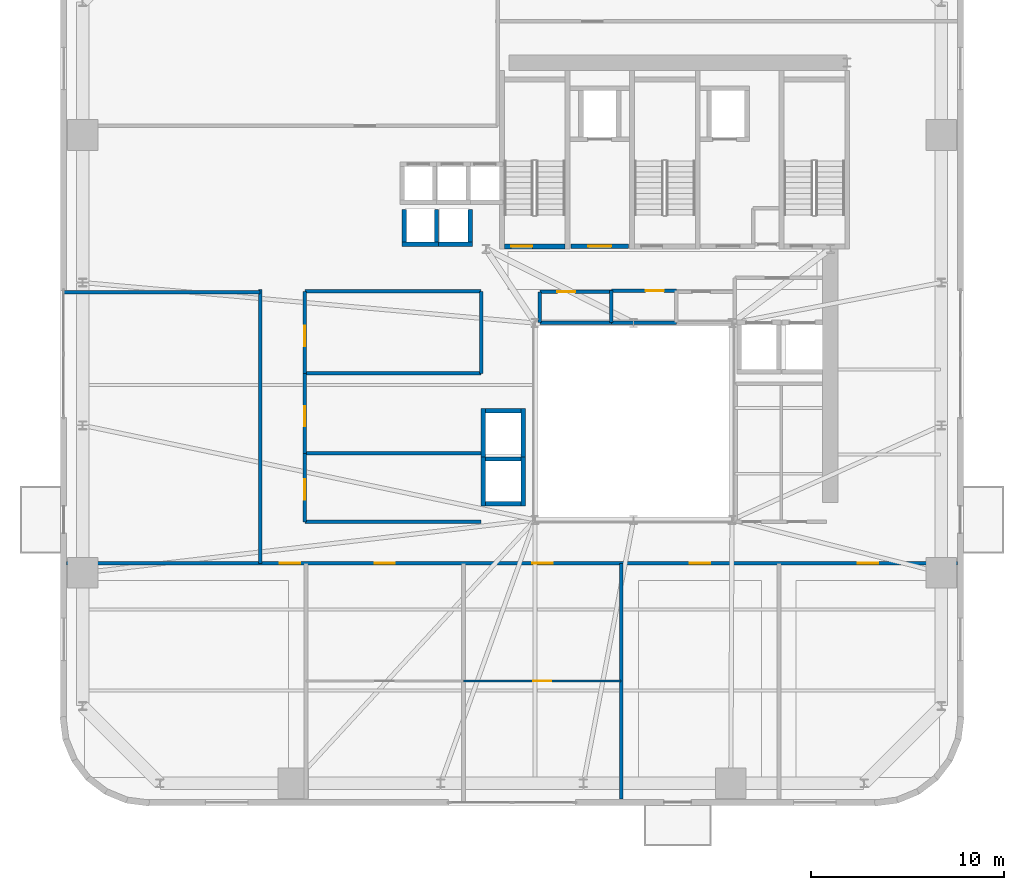
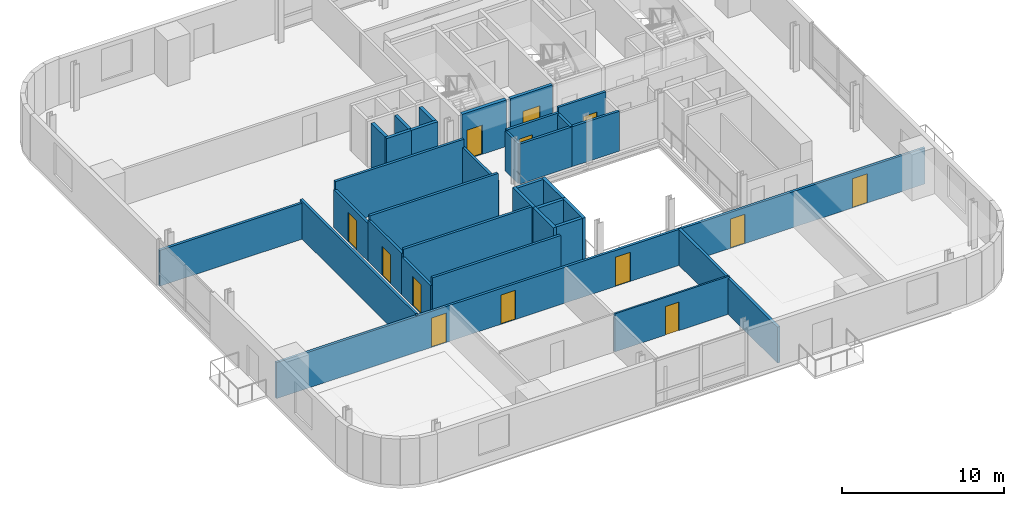
# One storey, part 6 of 13: 33 walls, 13 doors, 13 openings.
"""IFC4 building model written with IfcOpenShell, lengths in metres."""

import ifcopenshell
import ifcopenshell.guid

model = None  # the IFC model being written
_history = None  # IfcOwnerHistory: only IFC2X3 demands one
_inside = {}  # id of a spatial element -> (the spatial element, [elements in it])
_under = {}  # id of a project, library or spatial element -> (it, [spatial elements below it])
_declared = {}  # id of a project -> (the project, [libraries it declares])
_typed = {}  # id of a type object -> (the type object, [elements of that type])
_made_of = {}  # id of a material, layer set ... -> (it, [elements and type objects made of it])


def new_model(schema):
    """Start an empty IFC model of exactly this schema.

    Asked for "IFC4X3", IfcOpenShell would pick the latest addendum, in which some entities
    have other attributes; the version numbers below select the first issue.
    IFC2X3 requires an IfcOwnerHistory on every rooted entity: one is made here for all.
    """
    global model, _history
    if schema == "IFC4X3":
        model = ifcopenshell.file(schema_version=(4, 3, 0, 0))
    else:
        model = ifcopenshell.file(schema=schema)
    _inside.clear()
    _under.clear()
    _declared.clear()
    _typed.clear()
    _made_of.clear()
    _history = None
    if model.schema == "IFC2X3":
        org = make("IfcOrganization", Name="unknown")
        user = make(
            "IfcPersonAndOrganization",
            ThePerson=make("IfcPerson", FamilyName="unknown"),
            TheOrganization=org,
        )
        app = make(
            "IfcApplication",
            ApplicationDeveloper=org,
            Version="unknown",
            ApplicationFullName="unknown",
            ApplicationIdentifier="unknown",
        )
        _history = make(
            "IfcOwnerHistory",
            OwningUser=user,
            OwningApplication=app,
            ChangeAction="ADDED",
            CreationDate=0,
        )
    return model


def make(cls, **values):
    """One entity of the class cls with the attributes given. An attribute that is None is left unset."""
    return model.create_entity(
        cls, **{name: value for name, value in values.items() if value is not None}
    )


def rooted(cls, **values):
    """An entity with a GlobalId (a new one), such as an element, a storey or a relation."""
    return make(cls, GlobalId=ifcopenshell.guid.new(), OwnerHistory=_history, **values)


def si_unit(unit_type, name, prefix=None):
    """IfcSIUnit, for example si_unit("LENGTHUNIT", "METRE", prefix="MILLI")."""
    return make("IfcSIUnit", UnitType=unit_type, Prefix=prefix, Name=name)


def assignment(units):
    """IfcUnitAssignment: the units of a project."""
    return None if units is None else make("IfcUnitAssignment", Units=units)


def point(xyz):
    """IfcCartesianPoint."""
    return None if xyz is None else make("IfcCartesianPoint", Coordinates=xyz)


def direction(xyz):
    """IfcDirection."""
    return None if xyz is None else make("IfcDirection", DirectionRatios=xyz)


def frame(location, z_axis=None, x_axis=None):
    """IfcAxis2Placement3D, a coordinate frame: its origin and axes. An axis left out is left unset."""
    return make(
        "IfcAxis2Placement3D",
        Location=point(location),
        Axis=direction(z_axis),
        RefDirection=direction(x_axis),
    )


def frame_2d(location, x_axis=None):
    """IfcAxis2Placement2D, a coordinate frame in the plane: its origin and x axis."""
    return make(
        "IfcAxis2Placement2D", Location=point(location), RefDirection=direction(x_axis)
    )


def origin():
    """The frame at (0, 0, 0) with its axes left unset."""
    return frame((0.0, 0.0, 0.0))


def place(relative_to, where):
    """IfcLocalPlacement: puts the frame where relative to a parent placement (None: the world)."""
    return make(
        "IfcLocalPlacement", PlacementRelTo=relative_to, RelativePlacement=where
    )


def context(
    kind, dimensions, precision=None, world=None, true_north=None, identifier=None
):
    """IfcGeometricRepresentationContext, for example the 3D "Model" context."""
    return make(
        "IfcGeometricRepresentationContext",
        ContextIdentifier=identifier,
        ContextType=kind,
        CoordinateSpaceDimension=dimensions,
        Precision=precision,
        WorldCoordinateSystem=world,
        TrueNorth=true_north,
    )


def subcontext(parent, identifier, kind, view, scale=None):
    """IfcGeometricRepresentationSubContext, for example "Body" below "Model"."""
    return make(
        "IfcGeometricRepresentationSubContext",
        ContextIdentifier=identifier,
        ContextType=kind,
        ParentContext=parent,
        TargetScale=scale,
        TargetView=view,
    )


def project(units=None, contexts=None):
    """IfcProject with its units and contexts."""
    return rooted(
        "IfcProject",
        Name="project",
        RepresentationContexts=contexts,
        UnitsInContext=assignment(units),
    )


def spatial(cls, under=None, at=None, **own):
    """A site, building, storey or space (cls), placed at a placement, below another one or the project."""
    s = rooted(cls, ObjectPlacement=at, **own)
    if under is not None:
        _under.setdefault(under.id(), (under, []))[1].append(s)
    return s


def profile(cls, at=None, kind="AREA", **sizes):
    """A parametric profile (cls). Its sizes go by their IFC names, for example OverallWidth=200.0."""
    return make(cls, ProfileType=kind, Position=at, **sizes)


def rectangle(**sizes):
    """IfcRectangleProfileDef."""
    return profile("IfcRectangleProfileDef", **sizes)


def extrude(swept, where, along, depth):
    """IfcExtrudedAreaSolid: the profile swept, set in the frame where, extruded along a direction by depth."""
    return make(
        "IfcExtrudedAreaSolid",
        SweptArea=swept,
        Position=where,
        ExtrudedDirection=direction(along),
        Depth=depth,
    )


def shape(context_of_items, identifier, shape_type, items):
    """IfcShapeRepresentation: the items that make up one representation, for example the "Body"."""
    return make(
        "IfcShapeRepresentation",
        ContextOfItems=context_of_items,
        RepresentationIdentifier=identifier,
        RepresentationType=shape_type,
        Items=items,
    )


def source(mapping_origin, context_of_items, identifier, shape_type, items):
    """IfcRepresentationMap: a shape defined once, which mapped items show again and again."""
    return make(
        "IfcRepresentationMap",
        MappingOrigin=mapping_origin,
        MappedRepresentation=shape(context_of_items, identifier, shape_type, items),
    )


def transform(
    local_origin,
    x_axis=None,
    y_axis=None,
    z_axis=None,
    scale=None,
    scale2=None,
    scale3=None,
    uniform=True,
):
    """IfcCartesianTransformationOperator3D, or its non-uniform kind. x_axis, y_axis, z_axis: its Axis1, 2, 3."""
    if uniform:
        return make(
            "IfcCartesianTransformationOperator3D",
            Axis1=direction(x_axis),
            Axis2=direction(y_axis),
            LocalOrigin=point(local_origin),
            Scale=scale,
            Axis3=direction(z_axis),
        )
    return make(
        "IfcCartesianTransformationOperator3DnonUniform",
        Axis1=direction(x_axis),
        Axis2=direction(y_axis),
        LocalOrigin=point(local_origin),
        Scale=scale,
        Axis3=direction(z_axis),
        Scale2=scale2,
        Scale3=scale3,
    )


def mapped(mapping_source, mapping_target):
    """IfcMappedItem: shows the shape of a source again, moved by a transform."""
    return make(
        "IfcMappedItem", MappingSource=mapping_source, MappingTarget=mapping_target
    )


def material(Name=None, Category=None):
    """IfcMaterial."""
    return make("IfcMaterial", Name=Name, Category=Category)


def layer(
    of_material, thickness, ventilated=None, Name=None, Category=None, Priority=None
):
    """IfcMaterialLayer: one layer of a wall or slab, of a material (None: an air gap)."""
    return make(
        "IfcMaterialLayer",
        Material=of_material,
        LayerThickness=thickness,
        IsVentilated=ventilated,
        Name=Name,
        Category=Category,
        Priority=Priority,
    )


def layer_set(layers, Name=None):
    """IfcMaterialLayerSet."""
    return make("IfcMaterialLayerSet", MaterialLayers=layers, LayerSetName=Name)


def made_of(thing, what):
    """Note that an element or type object is made of a material, layer set ...; save() writes the relation."""
    if what is not None:
        _made_of.setdefault(what.id(), (what, []))[1].append(thing)
    return thing


def type_object(cls, material=None, **own):
    """A type object (cls), such as IfcWallType, which elements share."""
    return made_of(rooted(cls, **own), material)


def element(
    cls,
    number,
    at=None,
    inside=None,
    cuts=None,
    type_object=None,
    material=None,
    context=None,
    identifier="Body",
    shape_type=None,
    held_by="IfcProductDefinitionShape",
    body=None,
    shapes=None,
    **own,
):
    """One element of the class cls, such as IfcWall. Its Tag is "e" and its number.

    at: its placement. inside: the storey or other place that contains it. cuts: it is an
    opening in that element (IfcRelVoidsElement). A single representation is given by context,
    identifier, shape_type and body (its items); several are given by shapes. held_by: the class
    of the entity that holds the representations. save() writes the other relations.
    """
    e = rooted(cls, Tag="e%d" % number, ObjectPlacement=at, **own)
    if body is not None:
        shapes = [shape(context, identifier, shape_type, body)]
    if shapes is not None:
        e.Representation = make(held_by, Representations=shapes)
    if inside is not None:
        _inside.setdefault(inside.id(), (inside, []))[1].append(e)
    if cuts is not None:
        rooted(
            "IfcRelVoidsElement", RelatingBuildingElement=cuts, RelatedOpeningElement=e
        )
    if type_object is not None:
        _typed.setdefault(type_object.id(), (type_object, []))[1].append(e)
    return made_of(e, material)


def fill(opening, filler):
    """IfcRelFillsElement: the door or window that sits in an opening."""
    return rooted(
        "IfcRelFillsElement",
        RelatingOpeningElement=opening,
        RelatedBuildingElement=filler,
    )


def aggregate(whole, parts):
    """IfcRelAggregates: a whole, such as a stair, and the parts it consists of."""
    return rooted("IfcRelAggregates", RelatingObject=whole, RelatedObjects=parts)


def save(model, path):
    """Write the relations noted so far, then the file.

    IfcRelAggregates (storeys below a building ...), IfcRelContainedInSpatialStructure (elements
    in a storey), IfcRelDefinesByType, IfcRelAssociatesMaterial and IfcRelDeclares: one each for
    every whole, place, type object, material and project.
    """
    for whole, parts in _under.values():
        aggregate(whole, parts)
    for where, things in _inside.values():
        rooted(
            "IfcRelContainedInSpatialStructure",
            RelatedElements=things,
            RelatingStructure=where,
        )
    for kind, things in _typed.values():
        rooted("IfcRelDefinesByType", RelatedObjects=things, RelatingType=kind)
    for what, things in _made_of.values():
        rooted("IfcRelAssociatesMaterial", RelatedObjects=things, RelatingMaterial=what)
    for by, libraries in _declared.values():
        rooted("IfcRelDeclares", RelatingContext=by, RelatedDefinitions=libraries)
    model.write(path)


model = new_model("IFC4")

# Units and contexts
model_context = context("Model", 3, precision=1e-05, world=origin(), true_north=direction((0.0, 1.0)))
body_context = subcontext(model_context, "Body", "Model", "MODEL_VIEW")
ifc_project = project(units=[si_unit("LENGTHUNIT", "METRE"), si_unit("AREAUNIT", "SQUARE_METRE"), si_unit("VOLUMEUNIT", "CUBIC_METRE"), si_unit("PLANEANGLEUNIT", "RADIAN"), si_unit("MASSUNIT", "GRAM", prefix="KILO")], contexts=[model_context])

# Site, building, storey
site_placement = place(None, origin())
site = spatial("IfcSite", under=ifc_project, at=site_placement, CompositionType="ELEMENT")
building_placement = place(site_placement, origin())
building = spatial("IfcBuilding", under=site, at=building_placement, Name="Vardaveli Station Tower", CompositionType="ELEMENT")
storey_placement = place(building_placement, frame((0.0, 0.0, 159.39990234375)))
storey = spatial("IfcBuildingStorey", under=building, at=storey_placement, Name="L41", CompositionType="ELEMENT", Elevation=159.39990234375)

# Wall, opening, door
ifc_material_1 = material(Name="Concrete C40/50", Category="concrete")
ifc_layer_1 = layer(ifc_material_1, 0.25, Name="Concrete C40/50")
ifc_layer_set_1 = layer_set([ifc_layer_1], Name="Concrete C40/50")
wall_type_1 = type_object("IfcWallType", Name="WAL-SHAFT-250", PredefinedType="SOLIDWALL", material=ifc_layer_set_1)
shared_shape_1 = source(origin(), body_context, "Body", "SweptSolid", [
    extrude(rectangle(XDim=3.14990234375, YDim=0.25, at=frame_2d((1.574951171875, 0.0))), origin(), (0.0, 0.0, 1.0), 3.5),
])
wall_1_placement = place(storey_placement, frame((29.60009765625, 30.77490234375, 0.0), z_axis=(0.0, 0.0, 1.0), x_axis=(1.0, 0.0, 0.0)))
wall_1 = element("IfcWall", 1, at=wall_1_placement, inside=storey, type_object=wall_type_1, Name="W-L41-ST-1S", PredefinedType="SOLIDWALL", context=body_context, shape_type="MappedRepresentation", body=[
    mapped(shared_shape_1, transform((0.0, 0.0, 0.0), scale=1.0)),
])
shared_shape_2 = source(origin(), body_context, "Body", "SweptSolid", [
    extrude(rectangle(XDim=1.10009765625, YDim=2.199951171875, at=frame_2d((0.550048828125, 1.10009765625))), frame((0.0, 0.135009765625, 0.0), z_axis=(0.0, -1.0, 0.0), x_axis=(1.0, 0.0, 0.0)), (0.0, 0.0, 1.0), 0.27001953125),
])
opening_1_placement = place(wall_1_placement, frame((0.35009765625, 0.0, 0.0)))
opening_1 = element("IfcOpeningElement", 2, at=opening_1_placement, cuts=wall_1, Name="Opening D-04", PredefinedType="OPENING", context=body_context, shape_type="MappedRepresentation", body=[
    mapped(shared_shape_2, transform((0.0, 0.0, 0.0), scale=1.0)),
])
ifc_material_2 = material(Name="Steel smokeproof fire doorset", Category="steel")
door_type_1 = type_object("IfcDoorType", Name="DR-ST-1100x2200", OperationType="NOTDEFINED", PredefinedType="DOOR", material=ifc_material_2)
shared_shape_3 = source(origin(), body_context, "Body", "SweptSolid", [
    extrude(rectangle(XDim=1.10009765625, YDim=2.199951171875, at=frame_2d((0.550048828125, 1.10009765625))), frame((0.0, 0.02490234375, 0.0), z_axis=(0.0, -1.0, 0.0), x_axis=(1.0, 0.0, 0.0)), (0.0, 0.0, 1.0), 0.050048828125),
])
door_1_placement = place(opening_1_placement, origin())
door_1 = element("IfcDoor", 3, at=door_1_placement, inside=storey, type_object=door_type_1, Name="DST-1-L41", OperationType="SINGLE_SWING_LEFT", OverallHeight=2.199951171875, OverallWidth=1.10009765625, PredefinedType="DOOR", context=body_context, shape_type="MappedRepresentation", body=[
    mapped(shared_shape_3, transform((0.0, 0.0, 0.0), scale=1.0)),
])
fill(opening_1, door_1)

ifc_layer_2 = layer(ifc_material_1, 0.219970703125, Name="Concrete C40/50")
ifc_layer_set_2 = layer_set([ifc_layer_2], Name="Concrete C40/50")
wall_type_2 = type_object("IfcWallType", Name="WAL-FFLOBBY-220", PredefinedType="SOLIDWALL", material=ifc_layer_set_2)
shared_shape_4 = source(origin(), body_context, "Body", "SweptSolid", [
    extrude(rectangle(XDim=3.0, YDim=0.219970703125, at=frame_2d((1.5, 0.0))), origin(), (0.0, 0.0, 1.0), 3.460205078125),
])
wall_2_placement = place(storey_placement, frame((33.050048828125, 30.780029296875, 0.0), z_axis=(0.0, 0.0, 1.0), x_axis=(1.0, 0.0, 0.0)))
wall_2 = element("IfcWall", 4, at=wall_2_placement, inside=storey, type_object=wall_type_2, Name="W-L41-FFL1S", PredefinedType="SOLIDWALL", context=body_context, shape_type="MappedRepresentation", body=[
    mapped(shared_shape_4, transform((0.0, 0.0, 0.0), scale=1.0)),
])
shared_shape_5 = source(origin(), body_context, "Body", "SweptSolid", [
    extrude(rectangle(XDim=1.199951171875, YDim=2.199951171875, at=frame_2d((0.60009765625, 1.10009765625))), frame((0.0, 0.1201171875, 0.0), z_axis=(0.0, -1.0, 0.0), x_axis=(1.0, 0.0, 0.0)), (0.0, 0.0, 1.0), 0.239990234375),
])
opening_2_placement = place(wall_2_placement, frame((0.89990234375, 0.0, 0.0)))
opening_2 = element("IfcOpeningElement", 5, at=opening_2_placement, cuts=wall_2, Name="Opening D-03", PredefinedType="OPENING", context=body_context, shape_type="MappedRepresentation", body=[
    mapped(shared_shape_5, transform((0.0, 0.0, 0.0), scale=1.0)),
])
door_type_2 = type_object("IfcDoorType", Name="DR-FFL-1200x2200", OperationType="NOTDEFINED", PredefinedType="DOOR", material=ifc_material_2)
shared_shape_6 = source(origin(), body_context, "Body", "SweptSolid", [
    extrude(rectangle(XDim=1.199951171875, YDim=2.199951171875, at=frame_2d((0.60009765625, 1.10009765625))), frame((0.0, 0.02490234375, 0.0), z_axis=(0.0, -1.0, 0.0), x_axis=(1.0, 0.0, 0.0)), (0.0, 0.0, 1.0), 0.050048828125),
])
door_2_placement = place(opening_2_placement, origin())
door_2 = element("IfcDoor", 6, at=door_2_placement, inside=storey, type_object=door_type_2, Name="DFFL1-L41", OperationType="SINGLE_SWING_LEFT", OverallHeight=2.199951171875, OverallWidth=1.199951171875, PredefinedType="DOOR", context=body_context, shape_type="MappedRepresentation", body=[
    mapped(shared_shape_6, transform((0.0, 0.0, 0.0), scale=1.0)),
])
fill(opening_2, door_2)

# Walls
shared_shape_7 = source(origin(), body_context, "Body", "SweptSolid", [
    extrude(rectangle(XDim=1.89013671875, YDim=0.219970703125, at=frame_2d((0.945068359375, 0.0))), origin(), (0.0, 0.0, 1.0), 3.460205078125),
])
for number, where, z_axis, x_axis, name in (
    (7, (24.304931640625, 30.889892578125, 0.0), (0.0, 0.0, 1.0), (1.0, 0.0, 0.0), "SHW-SHU-01-L41-S"),
    (8, (26.054931640625, 30.889892578125, 0.0), (0.0, 0.0, 1.0), (1.0, 0.0, 0.0), "SHW-SHU-02-L41-S"),
):
    element("IfcWall", number, at=place(storey_placement, frame(where, z_axis=z_axis, x_axis=x_axis)), inside=storey, type_object=wall_type_2, Name=name, PredefinedType="SOLIDWALL", context=body_context, shape_type="MappedRepresentation", body=[
        mapped(shared_shape_7, transform((0.0, 0.0, 0.0), scale=1.0)),
    ])
shared_shape_8 = source(origin(), body_context, "Body", "SweptSolid", [
    extrude(rectangle(XDim=1.699951171875, YDim=0.219970703125, at=frame_2d((0.85009765625, 0.0))), origin(), (0.0, 0.0, 1.0), 3.460205078125),
])
for number, where, z_axis, x_axis, name in (
    (9, (24.4150390625, 31.0, 0.0), (0.0, 0.0, 1.0), (0.0, 1.0, 0.0), "SHW-SHU-01-L41-W"),
    (10, (26.0849609375, 31.0, 0.0), (0.0, 0.0, 1.0), (0.0, 1.0, 0.0), "SHW-SHU-01-L41-E"),
    (11, (27.8349609375, 31.0, 0.0), (0.0, 0.0, 1.0), (0.0, 1.0, 0.0), "SHW-SHU-02-L41-E"),
):
    element("IfcWall", number, at=place(storey_placement, frame(where, z_axis=z_axis, x_axis=x_axis)), inside=storey, type_object=wall_type_2, Name=name, PredefinedType="SOLIDWALL", context=body_context, shape_type="MappedRepresentation", body=[
        mapped(shared_shape_8, transform((0.0, 0.0, 0.0), scale=1.0)),
    ])
shared_shape_9 = source(origin(), body_context, "Body", "SweptSolid", [
    extrude(rectangle(XDim=1.85009765625, YDim=0.219970703125, at=frame_2d((0.925048828125, 0.0))), origin(), (0.0, 0.0, 1.0), 3.460205078125),
])
for number, where, z_axis, x_axis, name in (
    (12, (28.625, 17.43994140625, 0.0), (0.0, 0.0, 1.0), (1.0, 0.0, 0.0), "SHW-OBS-01-L41-S"),
    (13, (28.625, 19.760009765625, 0.0), (0.0, 0.0, 1.0), (1.0, 0.0, 0.0), "SHW-OBS-01-L41-N"),
    (14, (28.625, 22.260009765625, 0.0), (0.0, 0.0, 1.0), (1.0, 0.0, 0.0), "SHW-OBS-02-L41-N"),
):
    element("IfcWall", number, at=place(storey_placement, frame(where, z_axis=z_axis, x_axis=x_axis)), inside=storey, type_object=wall_type_2, Name=name, PredefinedType="SOLIDWALL", context=body_context, shape_type="MappedRepresentation", body=[
        mapped(shared_shape_9, transform((0.0, 0.0, 0.0), scale=1.0)),
    ])
shared_shape_10 = source(origin(), body_context, "Body", "SweptSolid", [
    extrude(rectangle(XDim=2.5400390625, YDim=0.219970703125, at=frame_2d((1.27001953125, 0.0))), origin(), (0.0, 0.0, 1.0), 3.460205078125),
])
for number, where, z_axis, x_axis, name in (
    (15, (28.514892578125, 17.330078125, 0.0), (0.0, 0.0, 1.0), (0.0, 1.0, 0.0), "SHW-OBS-01-L41-W"),
    (16, (30.5849609375, 17.330078125, 0.0), (0.0, 0.0, 1.0), (0.0, 1.0, 0.0), "SHW-OBS-01-L41-E"),
    (17, (28.514892578125, 19.830078125, 0.0), (0.0, 0.0, 1.0), (0.0, 1.0, 0.0), "SHW-OBS-02-L41-W"),
    (18, (30.5849609375, 19.830078125, 0.0), (0.0, 0.0, 1.0), (0.0, 1.0, 0.0), "SHW-OBS-02-L41-E"),
):
    element("IfcWall", number, at=place(storey_placement, frame(where, z_axis=z_axis, x_axis=x_axis)), inside=storey, type_object=wall_type_2, Name=name, PredefinedType="SOLIDWALL", context=body_context, shape_type="MappedRepresentation", body=[
        mapped(shared_shape_10, transform((0.0, 0.0, 0.0), scale=1.0)),
    ])

# Wall, opening, door
ifc_material_3 = material(Name="Fire-rated gypsum stud partition")
ifc_layer_3 = layer(ifc_material_3, 0.179931640625, Name="Fire-rated gypsum stud partition")
ifc_layer_set_3 = layer_set([ifc_layer_3], Name="Fire-rated gypsum stud partition")
wall_type_3 = type_object("IfcWallType", Name="WAL-CORR-180", PredefinedType="PARTITIONING", material=ifc_layer_set_3)
shared_shape_11 = source(origin(), body_context, "Body", "SweptSolid", [
    extrude(rectangle(XDim=4.239990234375, YDim=0.179931640625, at=frame_2d((2.1201171875, 0.0))), origin(), (0.0, 0.0, 1.0), 2.85205078125),
])
wall_3_placement = place(storey_placement, frame((19.27001953125, 24.199951171875, 0.0), z_axis=(0.0, 0.0, 1.0), x_axis=(0.0, 1.0, 0.0)))
wall_3 = element("IfcWall", 19, at=wall_3_placement, inside=storey, type_object=wall_type_3, Name="W-L41-ATWC-W", PredefinedType="PARTITIONING", context=body_context, shape_type="MappedRepresentation", body=[
    mapped(shared_shape_11, transform((0.0, 0.0, 0.0), scale=1.0)),
])
shared_shape_12 = source(origin(), body_context, "Body", "SweptSolid", [
    extrude(rectangle(XDim=1.050048828125, YDim=2.199951171875, at=frame_2d((0.52490234375, 1.10009765625))), frame((0.0, 0.10009765625, 0.0), z_axis=(0.0, -1.0, 0.0), x_axis=(1.0, 0.0, 0.0)), (0.0, 0.0, 1.0), 0.199951171875),
])
opening_3_placement = place(wall_3_placement, frame((1.39990234375, 0.0, 0.0)))
opening_3 = element("IfcOpeningElement", 20, at=opening_3_placement, cuts=wall_3, Name="Opening D-05", PredefinedType="OPENING", context=body_context, shape_type="MappedRepresentation", body=[
    mapped(shared_shape_12, transform((0.0, 0.0, 0.0), scale=1.0)),
])
ifc_material_4 = material(Name="Walnut veneer acoustic fire door")
door_type_3 = type_object("IfcDoorType", Name="DR-SUITE-1050x2200", OperationType="NOTDEFINED", PredefinedType="DOOR", material=ifc_material_4)
shared_shape_13 = source(origin(), body_context, "Body", "SweptSolid", [
    extrude(rectangle(XDim=1.050048828125, YDim=2.199951171875, at=frame_2d((0.52490234375, 1.10009765625))), frame((0.0, 0.02490234375, 0.0), z_axis=(0.0, -1.0, 0.0), x_axis=(1.0, 0.0, 0.0)), (0.0, 0.0, 1.0), 0.050048828125),
])
door_3_placement = place(opening_3_placement, origin())
door_3 = element("IfcDoor", 21, at=door_3_placement, inside=storey, type_object=door_type_3, Name="D-L41-ATW3", OperationType="SINGLE_SWING_LEFT", OverallHeight=2.199951171875, OverallWidth=1.050048828125, PredefinedType="DOOR", context=body_context, shape_type="MappedRepresentation", body=[
    mapped(shared_shape_13, transform((0.0, 0.0, 0.0), scale=1.0)),
])
fill(opening_3, door_3)

# Wall
wall_4_placement = place(storey_placement, frame((28.39990234375, 24.199951171875, 0.0), z_axis=(0.0, 0.0, 1.0), x_axis=(0.0, 1.0, 0.0)))
element("IfcWall", 22, at=wall_4_placement, inside=storey, type_object=wall_type_3, Name="W-L41-ATWC-E", PredefinedType="PARTITIONING", context=body_context, shape_type="MappedRepresentation", body=[
    mapped(shared_shape_11, transform((0.0, 0.0, 0.0), scale=1.0)),
])

# Wall, opening, door
shared_shape_14 = source(origin(), body_context, "Body", "SweptSolid", [
    extrude(rectangle(XDim=4.14990234375, YDim=0.179931640625, at=frame_2d((2.074951171875, 0.0))), origin(), (0.0, 0.0, 1.0), 3.1220703125),
])
wall_5_placement = place(storey_placement, frame((19.27001953125, 20.050048828125, 0.0), z_axis=(0.0, 0.0, 1.0), x_axis=(0.0, 1.0, 0.0)))
wall_5 = element("IfcWall", 23, at=wall_5_placement, inside=storey, type_object=wall_type_3, Name="W-L41-ATWB-W", PredefinedType="PARTITIONING", context=body_context, shape_type="MappedRepresentation", body=[
    mapped(shared_shape_14, transform((0.0, 0.0, 0.0), scale=1.0)),
])
opening_4_placement = place(wall_5_placement, frame((1.39990234375, 0.0, 0.0)))
opening_4 = element("IfcOpeningElement", 24, at=opening_4_placement, cuts=wall_5, Name="Opening D-05", PredefinedType="OPENING", context=body_context, shape_type="MappedRepresentation", body=[
    mapped(shared_shape_12, transform((0.0, 0.0, 0.0), scale=1.0)),
])
door_4_placement = place(opening_4_placement, origin())
door_4 = element("IfcDoor", 25, at=door_4_placement, inside=storey, type_object=door_type_3, Name="D-L41-ATW2", OperationType="SINGLE_SWING_RIGHT", OverallHeight=2.199951171875, OverallWidth=1.050048828125, PredefinedType="DOOR", context=body_context, shape_type="MappedRepresentation", body=[
    mapped(shared_shape_13, transform((0.0, 0.0, 0.0), scale=1.0)),
])
fill(opening_4, door_4)

shared_shape_15 = source(origin(), body_context, "Body", "SweptSolid", [
    extrude(rectangle(XDim=3.699951171875, YDim=0.179931640625, at=frame_2d((1.85009765625, 0.0))), origin(), (0.0, 0.0, 1.0), 3.092041015625),
])
wall_6_placement = place(storey_placement, frame((31.449951171875, 28.419921875, 0.0), z_axis=(0.0, 0.0, 1.0), x_axis=(1.0, 0.0, 0.0)))
wall_6 = element("IfcWall", 26, at=wall_6_placement, inside=storey, type_object=wall_type_3, Name="W-L41-CS2A-N", PredefinedType="PARTITIONING", context=body_context, shape_type="MappedRepresentation", body=[
    mapped(shared_shape_15, transform((0.0, 0.0, 0.0), scale=1.0)),
])
shared_shape_16 = source(origin(), body_context, "Body", "SweptSolid", [
    extrude(rectangle(XDim=0.919921875, YDim=2.10009765625, at=frame_2d((0.4599609375, 1.050048828125))), frame((0.0, 0.10009765625, 0.0), z_axis=(0.0, -1.0, 0.0), x_axis=(1.0, 0.0, 0.0)), (0.0, 0.0, 1.0), 0.199951171875),
])
opening_5_placement = place(wall_6_placement, frame((0.89990234375, 0.0, 0.0)))
opening_5 = element("IfcOpeningElement", 27, at=opening_5_placement, cuts=wall_6, Name="Opening D-07", PredefinedType="OPENING", context=body_context, shape_type="MappedRepresentation", body=[
    mapped(shared_shape_16, transform((0.0, 0.0, 0.0), scale=1.0)),
])
ifc_material_5 = material(Name="Moisture-resistant hardwood door", Category="wood")
door_type_4 = type_object("IfcDoorType", Name="DR-WC-920x2100", OperationType="NOTDEFINED", PredefinedType="DOOR", material=ifc_material_5)
shared_shape_17 = source(origin(), body_context, "Body", "SweptSolid", [
    extrude(rectangle(XDim=0.919921875, YDim=2.10009765625, at=frame_2d((0.4599609375, 1.050048828125))), frame((0.0, 0.02490234375, 0.0), z_axis=(0.0, -1.0, 0.0), x_axis=(1.0, 0.0, 0.0)), (0.0, 0.0, 1.0), 0.050048828125),
])
door_5_placement = place(opening_5_placement, origin())
door_5 = element("IfcDoor", 28, at=door_5_placement, inside=storey, type_object=door_type_4, Name="D-L41-CS2A", OperationType="SINGLE_SWING_LEFT", OverallHeight=2.10009765625, OverallWidth=0.919921875, PredefinedType="DOOR", context=body_context, shape_type="MappedRepresentation", body=[
    mapped(shared_shape_17, transform((0.0, 0.0, 0.0), scale=1.0)),
])
fill(opening_5, door_5)

shared_shape_18 = source(origin(), body_context, "Body", "SweptSolid", [
    extrude(rectangle(XDim=3.550048828125, YDim=0.179931640625, at=frame_2d((1.77490234375, 0.0))), origin(), (0.0, 0.0, 1.0), 2.85205078125),
])
wall_7_placement = place(storey_placement, frame((19.27001953125, 16.5, 0.0), z_axis=(0.0, 0.0, 1.0), x_axis=(0.0, 1.0, 0.0)))
wall_7 = element("IfcWall", 29, at=wall_7_placement, inside=storey, type_object=wall_type_3, Name="W-L41-ATWA-W", PredefinedType="PARTITIONING", context=body_context, shape_type="MappedRepresentation", body=[
    mapped(shared_shape_18, transform((0.0, 0.0, 0.0), scale=1.0)),
])
opening_6_placement = place(wall_7_placement, frame((1.14990234375, 0.0, 0.0)))
opening_6 = element("IfcOpeningElement", 30, at=opening_6_placement, cuts=wall_7, Name="Opening D-05", PredefinedType="OPENING", context=body_context, shape_type="MappedRepresentation", body=[
    mapped(shared_shape_12, transform((0.0, 0.0, 0.0), scale=1.0)),
])
door_6_placement = place(opening_6_placement, origin())
door_6 = element("IfcDoor", 31, at=door_6_placement, inside=storey, type_object=door_type_3, Name="D-L41-ATW1", OperationType="SINGLE_SWING_RIGHT", OverallHeight=2.199951171875, OverallWidth=1.050048828125, PredefinedType="DOOR", context=body_context, shape_type="MappedRepresentation", body=[
    mapped(shared_shape_13, transform((0.0, 0.0, 0.0), scale=1.0)),
])
fill(opening_6, door_6)

# Wall, openings, doors
shared_shape_19 = source(origin(), body_context, "Body", "SweptSolid", [
    extrude(rectangle(XDim=46.15576171875, YDim=0.179931640625, at=frame_2d((23.077880859375, 0.0))), origin(), (0.0, 0.0, 1.0), 2.7021484375),
])
wall_8_placement = place(storey_placement, frame((6.922119140625, 14.35009765625, 0.0), z_axis=(0.0, 0.0, 1.0), x_axis=(1.0, 0.0, 0.0)))
wall_8 = element("IfcWall", 32, at=wall_8_placement, inside=storey, type_object=wall_type_3, Name="W-L41-CS", PredefinedType="PARTITIONING", context=body_context, shape_type="MappedRepresentation", body=[
    mapped(shared_shape_19, transform((0.0, 0.0, 0.0), scale=1.0)),
])
opening_7_placement = place(wall_8_placement, frame((11.048095703125, 0.0, 0.0)))
opening_7 = element("IfcOpeningElement", 33, at=opening_7_placement, cuts=wall_8, Name="Opening D-05", PredefinedType="OPENING", context=body_context, shape_type="MappedRepresentation", body=[
    mapped(shared_shape_12, transform((0.0, 0.0, 0.0), scale=1.0)),
])
opening_8_placement = place(wall_8_placement, frame((15.962890625, 0.0, 0.0)))
opening_8 = element("IfcOpeningElement", 34, at=opening_8_placement, cuts=wall_8, Name="Opening D-05", PredefinedType="OPENING", context=body_context, shape_type="MappedRepresentation", body=[
    mapped(shared_shape_12, transform((0.0, 0.0, 0.0), scale=1.0)),
])
opening_9_placement = place(wall_8_placement, frame((24.133056640625, 0.0, 0.0)))
opening_9 = element("IfcOpeningElement", 35, at=opening_9_placement, cuts=wall_8, Name="Opening D-05", PredefinedType="OPENING", context=body_context, shape_type="MappedRepresentation", body=[
    mapped(shared_shape_12, transform((0.0, 0.0, 0.0), scale=1.0)),
])
opening_10_placement = place(wall_8_placement, frame((32.302978515625, 0.0, 0.0)))
opening_10 = element("IfcOpeningElement", 36, at=opening_10_placement, cuts=wall_8, Name="Opening D-05", PredefinedType="OPENING", context=body_context, shape_type="MappedRepresentation", body=[
    mapped(shared_shape_12, transform((0.0, 0.0, 0.0), scale=1.0)),
])
opening_11_placement = place(wall_8_placement, frame((40.998046875, 0.0, 0.0)))
opening_11 = element("IfcOpeningElement", 37, at=opening_11_placement, cuts=wall_8, Name="Opening D-05", PredefinedType="OPENING", context=body_context, shape_type="MappedRepresentation", body=[
    mapped(shared_shape_12, transform((0.0, 0.0, 0.0), scale=1.0)),
])
door_7_placement = place(opening_7_placement, origin())
door_7 = element("IfcDoor", 38, at=door_7_placement, inside=storey, type_object=door_type_3, Name="D-L41-SA1", OperationType="SINGLE_SWING_LEFT", OverallHeight=2.199951171875, OverallWidth=1.050048828125, PredefinedType="DOOR", context=body_context, shape_type="MappedRepresentation", body=[
    mapped(shared_shape_13, transform((0.0, 0.0, 0.0), scale=1.0)),
])
fill(opening_7, door_7)
door_8_placement = place(opening_8_placement, origin())
door_8 = element("IfcDoor", 39, at=door_8_placement, inside=storey, type_object=door_type_3, Name="D-L41-SCB2", OperationType="SINGLE_SWING_RIGHT", OverallHeight=2.199951171875, OverallWidth=1.050048828125, PredefinedType="DOOR", context=body_context, shape_type="MappedRepresentation", body=[
    mapped(shared_shape_13, transform((0.0, 0.0, 0.0), scale=1.0)),
])
fill(opening_8, door_8)
door_9_placement = place(opening_9_placement, origin())
door_9 = element("IfcDoor", 40, at=door_9_placement, inside=storey, type_object=door_type_3, Name="D-L41-SCB3", OperationType="SINGLE_SWING_LEFT", OverallHeight=2.199951171875, OverallWidth=1.050048828125, PredefinedType="DOOR", context=body_context, shape_type="MappedRepresentation", body=[
    mapped(shared_shape_13, transform((0.0, 0.0, 0.0), scale=1.0)),
])
fill(opening_9, door_9)
door_10_placement = place(opening_10_placement, origin())
door_10 = element("IfcDoor", 41, at=door_10_placement, inside=storey, type_object=door_type_3, Name="D-L41-SA4", OperationType="SINGLE_SWING_RIGHT", OverallHeight=2.199951171875, OverallWidth=1.050048828125, PredefinedType="DOOR", context=body_context, shape_type="MappedRepresentation", body=[
    mapped(shared_shape_13, transform((0.0, 0.0, 0.0), scale=1.0)),
])
fill(opening_10, door_10)
door_11_placement = place(opening_11_placement, origin())
door_11 = element("IfcDoor", 42, at=door_11_placement, inside=storey, type_object=door_type_3, Name="D-L41-SA5", OperationType="SINGLE_SWING_LEFT", OverallHeight=2.199951171875, OverallWidth=1.050048828125, PredefinedType="DOOR", context=body_context, shape_type="MappedRepresentation", body=[
    mapped(shared_shape_13, transform((0.0, 0.0, 0.0), scale=1.0)),
])
fill(opening_11, door_11)

# Wall
shared_shape_20 = source(origin(), body_context, "Body", "SweptSolid", [
    extrude(rectangle(XDim=1.599853515625, YDim=0.179931640625, at=frame_2d((0.7998046875, 0.0))), origin(), (0.0, 0.0, 1.0), 3.002197265625),
])
wall_9_placement = place(storey_placement, frame((31.449951171875, 26.820068359375, 0.0), z_axis=(0.0, 0.0, 1.0), x_axis=(0.0, 1.0, 0.0)))
element("IfcWall", 43, at=wall_9_placement, inside=storey, type_object=wall_type_3, Name="W-L41-CS2A-W", PredefinedType="PARTITIONING", context=body_context, shape_type="MappedRepresentation", body=[
    mapped(shared_shape_20, transform((0.0, 0.0, 0.0), scale=1.0)),
])

# Wall, opening, door
ifc_material_6 = material(Name="Gypsum board stud partition")
ifc_layer_4 = layer(ifc_material_6, 0.125, Name="Gypsum board stud partition")
ifc_layer_set_4 = layer_set([ifc_layer_4], Name="Gypsum board stud partition")
wall_type_4 = type_object("IfcWallType", Name="WAL-INT-125", PredefinedType="PARTITIONING", material=ifc_layer_set_4)
shared_shape_21 = source(origin(), body_context, "Body", "SweptSolid", [
    extrude(rectangle(XDim=8.169921875, YDim=0.125, at=frame_2d((4.0849609375, 0.0))), origin(), (0.0, 0.0, 1.0), 2.85205078125),
])
wall_10_placement = place(storey_placement, frame((27.489990234375, 8.25, 0.0), z_axis=(0.0, 0.0, 1.0), x_axis=(1.0, 0.0, 0.0)))
wall_10 = element("IfcWall", 44, at=wall_10_placement, inside=storey, type_object=wall_type_4, Name="W-L41-SCM3", PredefinedType="PARTITIONING", context=body_context, shape_type="MappedRepresentation", body=[
    mapped(shared_shape_21, transform((0.0, 0.0, 0.0), scale=1.0)),
])
shared_shape_22 = source(origin(), body_context, "Body", "SweptSolid", [
    extrude(rectangle(XDim=0.949951171875, YDim=2.14990234375, at=frame_2d((0.47509765625, 1.074951171875))), frame((0.0, 0.072509765625, 0.0), z_axis=(0.0, -1.0, 0.0), x_axis=(1.0, 0.0, 0.0)), (0.0, 0.0, 1.0), 0.14501953125),
])
opening_12_placement = place(wall_10_placement, frame((3.60498046875, 0.0, 0.0)))
opening_12 = element("IfcOpeningElement", 45, at=opening_12_placement, cuts=wall_10, Name="Opening D-11", PredefinedType="OPENING", context=body_context, shape_type="MappedRepresentation", body=[
    mapped(shared_shape_22, transform((0.0, 0.0, 0.0), scale=1.0)),
])
ifc_material_7 = material(Name="Oak veneer internal suite door")
door_type_5 = type_object("IfcDoorType", Name="DR-INT-950x2150", OperationType="NOTDEFINED", PredefinedType="DOOR", material=ifc_material_7)
shared_shape_23 = source(origin(), body_context, "Body", "SweptSolid", [
    extrude(rectangle(XDim=0.949951171875, YDim=2.14990234375, at=frame_2d((0.47509765625, 1.074951171875))), frame((0.0, 0.02490234375, 0.0), z_axis=(0.0, -1.0, 0.0), x_axis=(1.0, 0.0, 0.0)), (0.0, 0.0, 1.0), 0.050048828125),
])
door_12_placement = place(opening_12_placement, origin())
door_12 = element("IfcDoor", 46, at=door_12_placement, inside=storey, type_object=door_type_5, Name="D-L41-SCF3", OperationType="SINGLE_SWING_LEFT", OverallHeight=2.14990234375, OverallWidth=0.949951171875, PredefinedType="DOOR", context=body_context, shape_type="MappedRepresentation", body=[
    mapped(shared_shape_23, transform((0.0, 0.0, 0.0), scale=1.0)),
])
fill(opening_12, door_12)

shared_shape_24 = source(origin(), body_context, "Body", "SweptSolid", [
    extrude(rectangle(XDim=3.3701171875, YDim=0.179931640625, at=frame_2d((1.68505859375, 0.0))), origin(), (0.0, 0.0, 1.0), 3.460205078125),
])
wall_11_placement = place(storey_placement, frame((35.14990234375, 28.47998046875, 0.0), z_axis=(0.0, 0.0, 1.0), x_axis=(1.0, 0.0, 0.0)))
wall_11 = element("IfcWall", 47, at=wall_11_placement, inside=storey, type_object=wall_type_3, Name="W-L41-HKP2-N", PredefinedType="PARTITIONING", context=body_context, shape_type="MappedRepresentation", body=[
    mapped(shared_shape_24, transform((0.0, 0.0, 0.0), scale=1.0)),
])
shared_shape_25 = source(origin(), body_context, "Body", "SweptSolid", [
    extrude(rectangle(XDim=0.949951171875, YDim=2.14990234375, at=frame_2d((0.47509765625, 1.074951171875))), frame((0.0, 0.10009765625, 0.0), z_axis=(0.0, -1.0, 0.0), x_axis=(1.0, 0.0, 0.0)), (0.0, 0.0, 1.0), 0.199951171875),
])
opening_13_placement = place(wall_11_placement, frame((1.77490234375, 0.0, 0.0)))
opening_13 = element("IfcOpeningElement", 48, at=opening_13_placement, cuts=wall_11, Name="Opening D-06", PredefinedType="OPENING", context=body_context, shape_type="MappedRepresentation", body=[
    mapped(shared_shape_25, transform((0.0, 0.0, 0.0), scale=1.0)),
])
ifc_material_8 = material(Name="Oak veneer acoustic fire door")
door_type_6 = type_object("IfcDoorType", Name="DR-GUEST-950x2150", OperationType="NOTDEFINED", PredefinedType="DOOR", material=ifc_material_8)
door_13_placement = place(opening_13_placement, origin())
door_13 = element("IfcDoor", 49, at=door_13_placement, inside=storey, type_object=door_type_6, Name="D-L41-HKP", OperationType="SINGLE_SWING_LEFT", OverallHeight=2.14990234375, OverallWidth=0.949951171875, PredefinedType="DOOR", context=body_context, shape_type="MappedRepresentation", body=[
    mapped(shared_shape_23, transform((0.0, 0.0, 0.0), scale=1.0)),
])
fill(opening_13, door_13)

# Walls
shared_shape_26 = source(origin(), body_context, "Body", "SweptSolid", [
    extrude(rectangle(XDim=14.199951171875, YDim=0.179931640625, at=frame_2d((7.10009765625, 0.0))), origin(), (0.0, 0.0, 1.0), 2.85205078125),
])
wall_12_placement = place(storey_placement, frame((16.949951171875, 14.35009765625, 0.0), z_axis=(0.0, 0.0, 1.0), x_axis=(0.0, 1.0, 0.0)))
element("IfcWall", 50, at=wall_12_placement, inside=storey, type_object=wall_type_3, Name="W-L41-CW", PredefinedType="PARTITIONING", context=body_context, shape_type="MappedRepresentation", body=[
    mapped(shared_shape_26, transform((0.0, 0.0, 0.0), scale=1.0)),
])
ifc_material_9 = material(Name="Acoustic twin-stud gypsum partition")
ifc_layer_5 = layer(ifc_material_9, 0.199951171875, Name="Acoustic twin-stud gypsum partition")
ifc_layer_set_5 = layer_set([ifc_layer_5], Name="Acoustic twin-stud gypsum partition")
wall_type_5 = type_object("IfcWallType", Name="WAL-PARTY-200", PredefinedType="PARTITIONING", material=ifc_layer_set_5)
shared_shape_27 = source(origin(), body_context, "Body", "SweptSolid", [
    extrude(rectangle(XDim=12.22802734375, YDim=0.199951171875, at=frame_2d((6.114013671875, 0.0))), origin(), (0.0, 0.0, 1.0), 2.7021484375),
])
wall_13_placement = place(storey_placement, frame((35.659912109375, 2.1220703125, 0.0), z_axis=(0.0, 0.0, 1.0), x_axis=(0.0, 1.0, 0.0)))
element("IfcWall", 51, at=wall_13_placement, inside=storey, type_object=wall_type_5, Name="W-L41-PS3", PredefinedType="PARTITIONING", context=body_context, shape_type="MappedRepresentation", body=[
    mapped(shared_shape_27, transform((0.0, 0.0, 0.0), scale=1.0)),
])
shared_shape_28 = source(origin(), body_context, "Body", "SweptSolid", [
    extrude(rectangle(XDim=10.219970703125, YDim=0.179931640625, at=frame_2d((5.10986328125, 0.0))), origin(), (0.0, 0.0, 1.0), 2.7021484375),
])
wall_14_placement = place(storey_placement, frame((6.72998046875, 28.39990234375, 0.0), z_axis=(0.0, 0.0, 1.0), x_axis=(1.0, 0.0, 0.0)))
element("IfcWall", 52, at=wall_14_placement, inside=storey, type_object=wall_type_3, Name="W-L41-CWN", PredefinedType="PARTITIONING", context=body_context, shape_type="MappedRepresentation", body=[
    mapped(shared_shape_28, transform((0.0, 0.0, 0.0), scale=1.0)),
])
shared_shape_29 = source(origin(), body_context, "Body", "SweptSolid", [
    extrude(rectangle(XDim=9.1298828125, YDim=0.179931640625, at=frame_2d((4.56494140625, 0.0))), origin(), (0.0, 0.0, 1.0), 3.460205078125),
])
for number, where, z_axis, x_axis, name in (
    (53, (19.27001953125, 16.5, 0.0), (0.0, 0.0, 1.0), (1.0, 0.0, 0.0), "W-L41-ATWA-S"),
    (54, (19.27001953125, 20.050048828125, 0.0), (0.0, 0.0, 1.0), (1.0, 0.0, 0.0), "W-L41-ATWA-N"),
    (55, (19.27001953125, 24.199951171875, 0.0), (0.0, 0.0, 1.0), (1.0, 0.0, 0.0), "W-L41-ATWB-N"),
    (56, (19.27001953125, 28.43994140625, 0.0), (0.0, 0.0, 1.0), (1.0, 0.0, 0.0), "W-L41-ATWC-N"),
):
    element("IfcWall", number, at=place(storey_placement, frame(where, z_axis=z_axis, x_axis=x_axis)), inside=storey, type_object=wall_type_3, Name=name, PredefinedType="PARTITIONING", context=body_context, shape_type="MappedRepresentation", body=[
        mapped(shared_shape_29, transform((0.0, 0.0, 0.0), scale=1.0)),
    ])
shared_shape_30 = source(origin(), body_context, "Body", "SweptSolid", [
    extrude(rectangle(XDim=3.699951171875, YDim=0.179931640625, at=frame_2d((1.85009765625, 0.0))), origin(), (0.0, 0.0, 1.0), 3.002197265625),
])
wall_15_placement = place(storey_placement, frame((31.449951171875, 26.820068359375, 0.0), z_axis=(0.0, 0.0, 1.0), x_axis=(1.0, 0.0, 0.0)))
element("IfcWall", 57, at=wall_15_placement, inside=storey, type_object=wall_type_3, Name="W-L41-CS2A-S", PredefinedType="PARTITIONING", context=body_context, shape_type="MappedRepresentation", body=[
    mapped(shared_shape_30, transform((0.0, 0.0, 0.0), scale=1.0)),
])
shared_shape_31 = source(origin(), body_context, "Body", "SweptSolid", [
    extrude(rectangle(XDim=3.3701171875, YDim=0.179931640625, at=frame_2d((1.68505859375, 0.0))), origin(), (0.0, 0.0, 1.0), 3.002197265625),
])
wall_16_placement = place(storey_placement, frame((35.14990234375, 26.820068359375, 0.0), z_axis=(0.0, 0.0, 1.0), x_axis=(1.0, 0.0, 0.0)))
element("IfcWall", 58, at=wall_16_placement, inside=storey, type_object=wall_type_3, Name="W-L41-HKP2-S", PredefinedType="PARTITIONING", context=body_context, shape_type="MappedRepresentation", body=[
    mapped(shared_shape_31, transform((0.0, 0.0, 0.0), scale=1.0)),
])
shared_shape_32 = source(origin(), body_context, "Body", "SweptSolid", [
    extrude(rectangle(XDim=1.659912109375, YDim=0.179931640625, at=frame_2d((0.830078125, 0.0))), origin(), (0.0, 0.0, 1.0), 3.002197265625),
])
wall_17_placement = place(storey_placement, frame((35.14990234375, 26.820068359375, 0.0), z_axis=(0.0, 0.0, 1.0), x_axis=(0.0, 1.0, 0.0)))
element("IfcWall", 59, at=wall_17_placement, inside=storey, type_object=wall_type_3, Name="W-L41-HKP2-W", PredefinedType="PARTITIONING", context=body_context, shape_type="MappedRepresentation", body=[
    mapped(shared_shape_32, transform((0.0, 0.0, 0.0), scale=1.0)),
])

save(model, "model.ifc")
